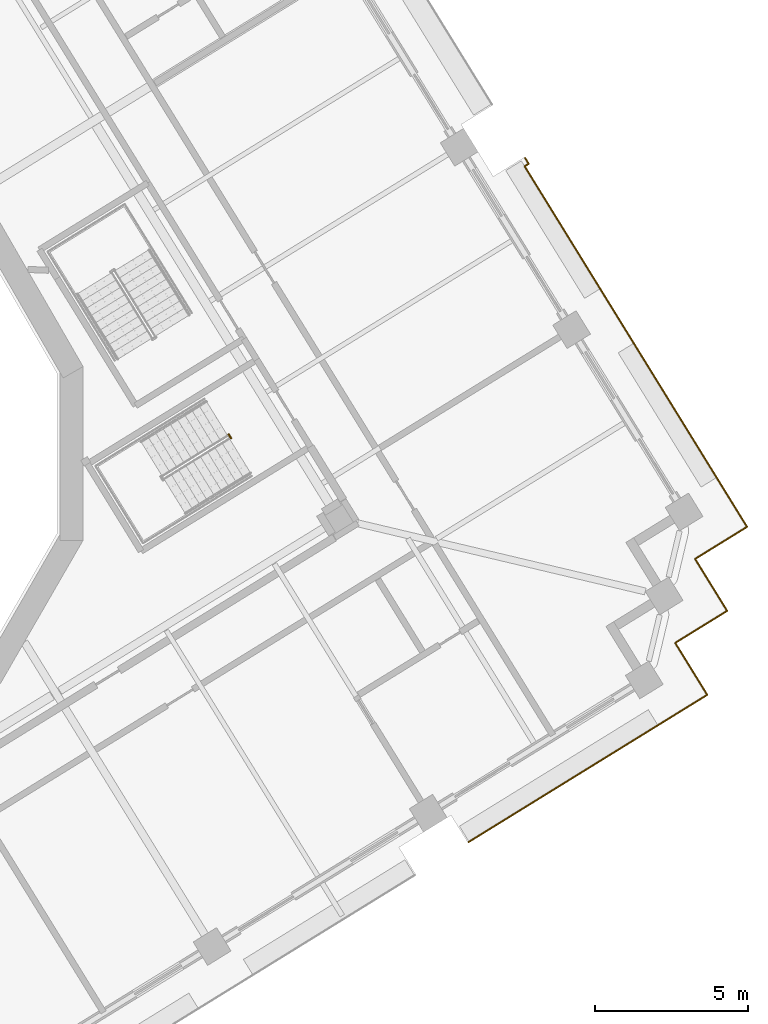
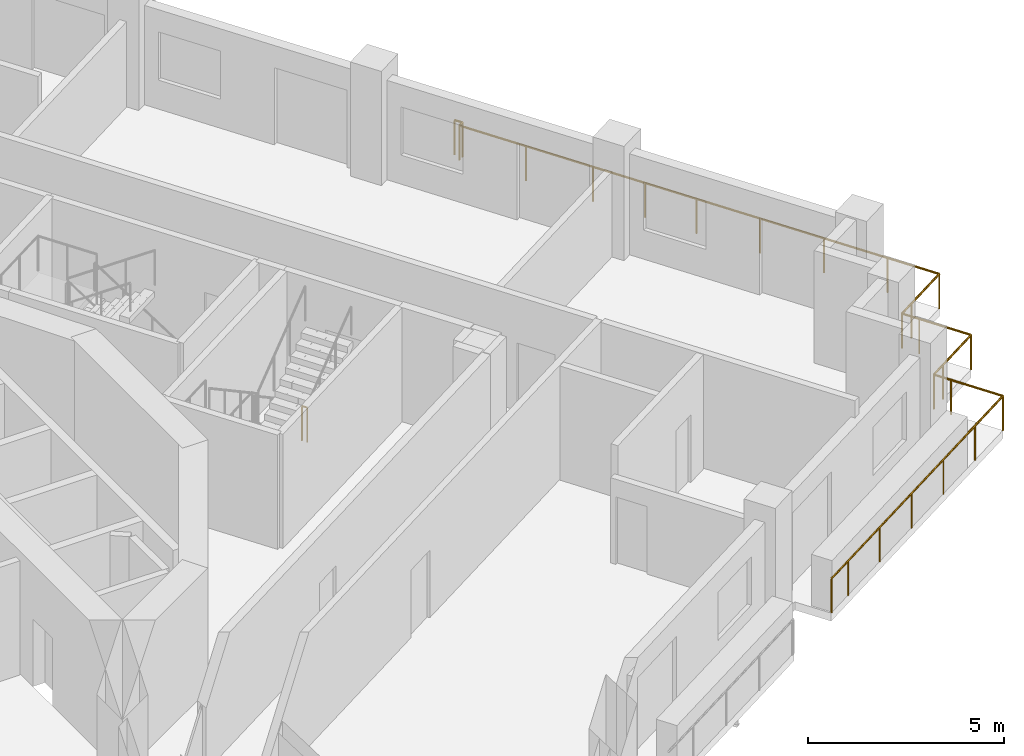
# One storey, part 16 of 20: 3 railings.
"""IFC4 building model written with IfcOpenShell, lengths in metres."""

from ifc_helpers import new_model, si_unit, direction, frame, origin, origin_2d, place, context, subcontext, project, spatial, circle, extrude, material, type_object, element, save


model = new_model("IFC4")

# Units and contexts
model_context = context("Model", 3, precision=1e-05, world=origin(), true_north=direction((0.0, 1.0)))
body_context = subcontext(model_context, "Body", "Model", "MODEL_VIEW")
ifc_project = project(units=[si_unit("LENGTHUNIT", "METRE"), si_unit("AREAUNIT", "SQUARE_METRE"), si_unit("VOLUMEUNIT", "CUBIC_METRE"), si_unit("PLANEANGLEUNIT", "RADIAN"), si_unit("MASSUNIT", "GRAM", prefix="KILO")], contexts=[model_context])

# Site, building, storey
site_placement = place(None, origin())
site = spatial("IfcSite", under=ifc_project, at=site_placement, CompositionType="ELEMENT")
building_placement = place(site_placement, origin())
building = spatial("IfcBuilding", under=site, at=building_placement, Name="Cantera Rosa Tower", CompositionType="ELEMENT")
storey_placement = place(building_placement, frame((0.0, 0.0, 155.199951171875)))
storey = spatial("IfcBuildingStorey", under=building, at=storey_placement, Name="L33", CompositionType="ELEMENT", Elevation=155.199951171875)

# Railings
ifc_material_1 = material(Name="Stainless steel and laminated glass", Category="steel")
railing_type_1 = type_object("IfcRailingType", Name="GUARD 1100", PredefinedType="BALUSTRADE", material=ifc_material_1)
railing_1_placement = place(storey_placement, frame((30.03076171875, -6.208984375, 0.0)))
element("IfcRailing", 1, at=railing_1_placement, inside=storey, type_object=railing_type_1, Name="GUARD L33-9", PredefinedType="BALUSTRADE", context=body_context, shape_type="SweptSolid", body=[
    extrude(circle(Radius=0.030029296875, at=origin_2d()), frame((0.0, 0.0, 1.070068359375), z_axis=(0.52494176933, -0.851138143202, 0.0), x_axis=(0.851138143202, 0.52494176933, 0.0)), (0.0, 0.0, 1.0), 0.5),
    extrude(circle(Radius=0.030029296875, at=origin_2d()), frame((0.262451171875, -0.425537109375, 1.070068359375), z_axis=(0.524869051004, -0.85118298814, 0.0), x_axis=(0.85118298814, 0.524869051004, 0.0)), (0.0, 0.0, 1.0), 1.5),
    extrude(circle(Radius=0.030029296875, at=origin_2d()), frame((1.0498046875, -1.702392578125, 1.070068359375), z_axis=(-0.851138143202, -0.52494176933, 0.0), x_axis=(0.52494176933, -0.851138143202, 0.0)), (0.0, 0.0, 1.0), 1.5),
    extrude(circle(Radius=0.030029296875, at=origin_2d()), frame((-0.226806640625, -2.48974609375, 1.070068359375), z_axis=(-0.851120753703, -0.524969963537, 0.0), x_axis=(0.524969963537, -0.851120753703, 0.0)), (0.0, 0.0, 1.0), 6.820068359375),
    extrude(circle(Radius=0.030029296875, at=origin_2d()), frame((-6.031494140625, -6.070068359375, 1.070068359375), z_axis=(-0.851089370259, -0.525020841331, 0.0), x_axis=(0.525020841331, -0.851089370259, 0.0)), (0.0, 0.0, 1.0), 0.8701171875),
    extrude(circle(Radius=0.02490234375, at=origin_2d()), origin(), (0.0, 0.0, 1.0), 1.0400390625),
    extrude(circle(Radius=0.02490234375, at=origin_2d()), frame((0.262451171875, -0.425537109375, 0.0)), (0.0, 0.0, 1.0), 1.0400390625),
    extrude(circle(Radius=0.02490234375, at=origin_2d()), frame((1.0498046875, -1.702392578125, 0.0)), (0.0, 0.0, 1.0), 1.0400390625),
    extrude(circle(Radius=0.02490234375, at=origin_2d()), frame((-0.226806640625, -2.48974609375, 0.0)), (0.0, 0.0, 1.0), 1.0400390625),
    extrude(circle(Radius=0.02490234375, at=origin_2d()), frame((-1.677978515625, -3.384765625, 0.0)), (0.0, 0.0, 1.0), 1.0400390625),
    extrude(circle(Radius=0.02490234375, at=origin_2d()), frame((-3.129150390625, -4.27978515625, 0.0)), (0.0, 0.0, 1.0), 1.0400390625),
    extrude(circle(Radius=0.02490234375, at=origin_2d()), frame((-4.580322265625, -5.175048828125, 0.0)), (0.0, 0.0, 1.0), 1.0400390625),
    extrude(circle(Radius=0.02490234375, at=origin_2d()), frame((-6.031494140625, -6.070068359375, 0.0)), (0.0, 0.0, 1.0), 1.0400390625),
    extrude(circle(Radius=0.02490234375, at=origin_2d()), frame((-6.77197265625, -6.52685546875, 0.0)), (0.0, 0.0, 1.0), 1.0400390625),
])
railing_2_placement = place(storey_placement, frame((25.111328125, 9.684814453125, 0.0)))
element("IfcRailing", 2, at=railing_2_placement, inside=storey, type_object=railing_type_1, Name="GUARD L33-10", PredefinedType="BALUSTRADE", context=body_context, shape_type="SweptSolid", body=[
    extrude(circle(Radius=0.030029296875, at=origin_2d()), frame((0.0, 0.0, 1.070068359375), z_axis=(0.524277608227, -0.851547408846, 0.0), x_axis=(0.851547408846, 0.524277608227, 0.0)), (0.0, 0.0, 1.0), 0.226806640625),
    extrude(circle(Radius=0.030029296875, at=origin_2d()), frame((0.118896484375, -0.193115234375, 1.070068359375), z_axis=(-0.850961909884, -0.525227405917, 0.0), x_axis=(0.525227405917, -0.850961909884, 0.0)), (0.0, 0.0, 1.0), 0.15673828125),
    extrude(circle(Radius=0.030029296875, at=origin_2d()), frame((-0.014404296875, -0.275390625, 1.070068359375), z_axis=(0.524968061191, -0.851121927064, 0.0), x_axis=(0.851121927064, 0.524968061191, 0.0)), (0.0, 0.0, 1.0), 3.86328125),
    extrude(circle(Radius=0.030029296875, at=origin_2d()), frame((2.013671875, -3.5634765625, 1.070068359375), z_axis=(0.524964362564, -0.851124208349, 0.0), x_axis=(0.851124208349, 0.524964362564, 0.0)), (0.0, 0.0, 1.0), 3.0),
    extrude(circle(Radius=0.030029296875, at=origin_2d()), frame((3.588623046875, -6.116943359375, 1.070068359375), z_axis=(0.524968277683, -0.851121793533, 0.0), x_axis=(0.851121793533, 0.524968277683, 0.0)), (0.0, 0.0, 1.0), 5.519775390625),
    extrude(circle(Radius=0.030029296875, at=origin_2d()), frame((6.486328125, -10.81494140625, 1.070068359375), z_axis=(0.524986950369, -0.851110276017, 0.0), x_axis=(0.851110276017, 0.524986950369, 0.0)), (0.0, 0.0, 1.0), 1.500244140625),
    extrude(circle(Radius=0.030029296875, at=origin_2d()), frame((7.27392578125, -12.091796875, 1.070068359375), z_axis=(-0.85118298814, -0.524869051004, 0.0), x_axis=(0.524869051004, -0.85118298814, 0.0)), (0.0, 0.0, 1.0), 1.5),
    extrude(circle(Radius=0.030029296875, at=origin_2d()), frame((5.9970703125, -12.879150390625, 1.070068359375), z_axis=(-0.851138143202, -0.52494176933, 0.0), x_axis=(0.52494176933, -0.851138143202, 0.0)), (0.0, 0.0, 1.0), 0.5),
    extrude(circle(Radius=0.030029296875, at=origin_2d()), frame((5.571533203125, -13.1416015625, 1.070068359375), z_axis=(0.52494176933, -0.851138143202, 0.0), x_axis=(0.851138143202, 0.52494176933, 0.0)), (0.0, 0.0, 1.0), 0.5),
    extrude(circle(Radius=0.030029296875, at=origin_2d()), frame((5.833984375, -13.567138671875, 1.070068359375), z_axis=(0.524986950369, -0.851110276017, 0.0), x_axis=(0.851110276017, 0.524986950369, 0.0)), (0.0, 0.0, 1.0), 1.500244140625),
    extrude(circle(Radius=0.030029296875, at=origin_2d()), frame((6.62158203125, -14.843994140625, 1.070068359375), z_axis=(-0.851138143202, -0.52494176933, 0.0), x_axis=(0.52494176933, -0.851138143202, 0.0)), (0.0, 0.0, 1.0), 1.5),
    extrude(circle(Radius=0.030029296875, at=origin_2d()), frame((5.344970703125, -15.63134765625, 1.070068359375), z_axis=(-0.851138143202, -0.52494176933, 0.0), x_axis=(0.52494176933, -0.851138143202, 0.0)), (0.0, 0.0, 1.0), 0.5),
    extrude(circle(Radius=0.02490234375, at=origin_2d()), origin(), (0.0, 0.0, 1.0), 1.0400390625),
    extrude(circle(Radius=0.02490234375, at=origin_2d()), frame((0.118896484375, -0.193115234375, 0.0)), (0.0, 0.0, 1.0), 1.0400390625),
    extrude(circle(Radius=0.02490234375, at=origin_2d()), frame((-0.014404296875, -0.275390625, 0.0)), (0.0, 0.0, 1.0), 1.0400390625),
    extrude(circle(Radius=0.02490234375, at=origin_2d()), frame((0.99951171875, -1.91943359375, 0.0)), (0.0, 0.0, 1.0), 1.0400390625),
    extrude(circle(Radius=0.02490234375, at=origin_2d()), frame((2.013671875, -3.5634765625, 0.0)), (0.0, 0.0, 1.0), 1.0400390625),
    extrude(circle(Radius=0.02490234375, at=origin_2d()), frame((2.80126953125, -4.84033203125, 0.0)), (0.0, 0.0, 1.0), 1.0400390625),
    extrude(circle(Radius=0.02490234375, at=origin_2d()), frame((3.588623046875, -6.116943359375, 0.0)), (0.0, 0.0, 1.0), 1.0400390625),
    extrude(circle(Radius=0.02490234375, at=origin_2d()), frame((4.554443359375, -7.682861328125, 0.0)), (0.0, 0.0, 1.0), 1.0400390625),
    extrude(circle(Radius=0.02490234375, at=origin_2d()), frame((5.5205078125, -9.2490234375, 0.0)), (0.0, 0.0, 1.0), 1.0400390625),
    extrude(circle(Radius=0.02490234375, at=origin_2d()), frame((6.486328125, -10.81494140625, 0.0)), (0.0, 0.0, 1.0), 1.0400390625),
    extrude(circle(Radius=0.02490234375, at=origin_2d()), frame((7.27392578125, -12.091796875, 0.0)), (0.0, 0.0, 1.0), 1.0400390625),
    extrude(circle(Radius=0.02490234375, at=origin_2d()), frame((5.9970703125, -12.879150390625, 0.0)), (0.0, 0.0, 1.0), 1.0400390625),
    extrude(circle(Radius=0.02490234375, at=origin_2d()), frame((5.571533203125, -13.1416015625, 0.0)), (0.0, 0.0, 1.0), 1.0400390625),
    extrude(circle(Radius=0.02490234375, at=origin_2d()), frame((5.833984375, -13.567138671875, 0.0)), (0.0, 0.0, 1.0), 1.0400390625),
    extrude(circle(Radius=0.02490234375, at=origin_2d()), frame((6.62158203125, -14.843994140625, 0.0)), (0.0, 0.0, 1.0), 1.0400390625),
    extrude(circle(Radius=0.02490234375, at=origin_2d()), frame((5.344970703125, -15.63134765625, 0.0)), (0.0, 0.0, 1.0), 1.0400390625),
    extrude(circle(Radius=0.02490234375, at=origin_2d()), frame((4.91943359375, -15.893798828125, 0.0)), (0.0, 0.0, 1.0), 1.0400390625),
])
ifc_material_2 = material(Name="Steel S355J2 (EN 10025-2)", Category="steel")
railing_type_2 = type_object("IfcRailingType", Name="STAIR GUARD 1100", PredefinedType="GUARDRAIL", material=ifc_material_2)
railing_3_placement = place(storey_placement, frame((15.394775390625, 0.625, 0.0)))
element("IfcRailing", 3, at=railing_3_placement, inside=storey, type_object=railing_type_2, Name="L33 ST-34 stair guard 3", PredefinedType="GUARDRAIL", context=body_context, shape_type="SweptSolid", body=[
    extrude(circle(Radius=0.02392578125, at=origin_2d()), frame((0.0, 0.0, 1.076171875), z_axis=(0.524279100842, -0.851546489876, 0.0), x_axis=(0.851546489876, 0.524279100842, 0.0)), (0.0, 0.0, 1.0), 0.14990234375),
    extrude(circle(Radius=0.02099609375, at=origin_2d()), origin(), (0.0, 0.0, 1.0), 1.052001953125),
    extrude(circle(Radius=0.02099609375, at=origin_2d()), frame((0.07861328125, -0.127685546875, 0.0)), (0.0, 0.0, 1.0), 1.052001953125),
])

save(model, "model.ifc")
